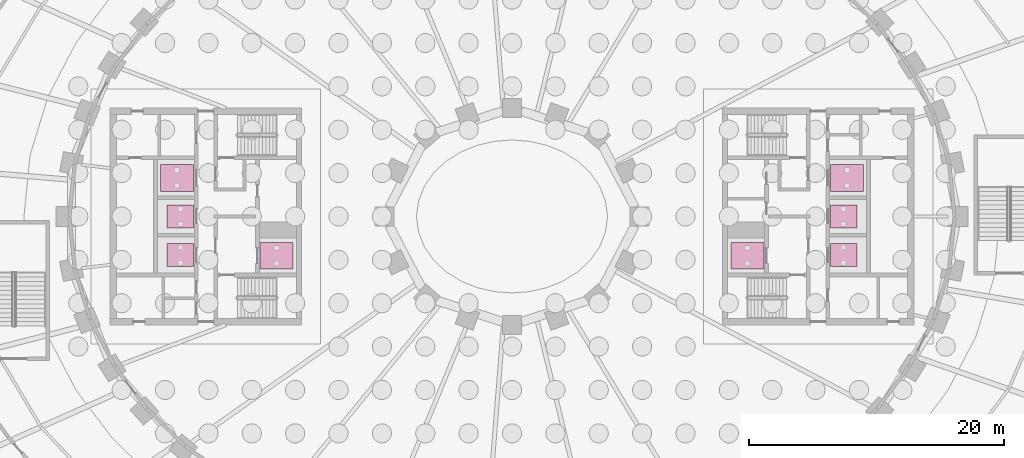
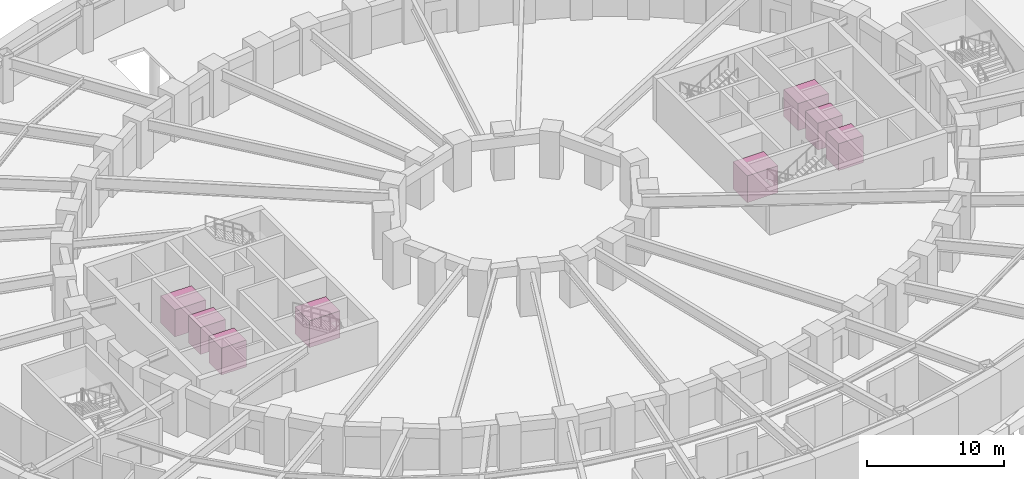
# One storey, part 19 of 19: 8 transport elements.
"""IFC4 building model written with IfcOpenShell, lengths in metres."""

from ifc_helpers import new_model, si_unit, direction, frame, origin, origin_2d, place, context, subcontext, project, spatial, rectangle, extrude, material, type_object, element, save


model = new_model("IFC4")

# Units and contexts
model_context = context("Model", 3, precision=1e-05, world=origin(), true_north=direction((0.0, 1.0)))
body_context = subcontext(model_context, "Body", "Model", "MODEL_VIEW")
ifc_project = project(units=[si_unit("LENGTHUNIT", "METRE"), si_unit("AREAUNIT", "SQUARE_METRE"), si_unit("VOLUMEUNIT", "CUBIC_METRE"), si_unit("PLANEANGLEUNIT", "RADIAN"), si_unit("MASSUNIT", "GRAM", prefix="KILO")], contexts=[model_context])

# Site, building, storey
site_placement = place(None, origin())
site = spatial("IfcSite", under=ifc_project, at=site_placement, CompositionType="ELEMENT")
building_placement = place(site_placement, origin())
building = spatial("IfcBuilding", under=site, at=building_placement, Name="Noorbagh Ring Tower", CompositionType="ELEMENT")
storey_placement = place(building_placement, frame((0.0, 0.0, -8.39990234375)))
storey = spatial("IfcBuildingStorey", under=building, at=storey_placement, Name="B2", CompositionType="ELEMENT", Elevation=-8.39990234375)

# Transport elements
ifc_material_1 = material(Name="Brushed stainless steel", Category="steel")
transport_element_type_1 = type_object("IfcTransportElementType", Name="CORE-LIFT-FF", PredefinedType="ELEVATOR", material=ifc_material_1)
for number, where, z_axis, x_axis, name in (
    (1, (-18.449951171875, -3.074951171875, 0.0), (0.0, 0.0, 1.0), (1.0, 0.0, 0.0), "Lift FF1"),
    (2, (18.449951171875, -3.074951171875, 0.0), (0.0, 0.0, 1.0), (1.0, 0.0, 0.0), "Lift FF2"),
):
    element("IfcTransportElement", number, at=place(storey_placement, frame(where, z_axis=z_axis, x_axis=x_axis)), inside=storey, type_object=transport_element_type_1, Name=name, PredefinedType="ELEVATOR", context=body_context, shape_type="SweptSolid", body=[
        extrude(rectangle(XDim=2.60009765625, YDim=2.10009765625, at=origin_2d()), origin(), (0.0, 0.0, 1.0), 2.39990234375),
    ])
ifc_material_2 = material(Name="Brushed stainless steel", Category="steel")
transport_element_type_2 = type_object("IfcTransportElementType", Name="CORE-LIFT-LR", PredefinedType="ELEVATOR", material=ifc_material_2)
for number, where, z_axis, x_axis, name in (
    (3, (-26.0, -3.02490234375, 0.0), (0.0, 0.0, 1.0), (1.0, 0.0, 0.0), "Lift LR1"),
    (4, (-26.0, 0.0, 0.0), (0.0, 0.0, 1.0), (1.0, 0.0, 0.0), "Lift LR2"),
    (5, (26.0, -3.02490234375, 0.0), (0.0, 0.0, 1.0), (1.0, 0.0, 0.0), "Lift LR3"),
    (6, (26.0, 0.0, 0.0), (0.0, 0.0, 1.0), (1.0, 0.0, 0.0), "Lift LR4"),
):
    element("IfcTransportElement", number, at=place(storey_placement, frame(where, z_axis=z_axis, x_axis=x_axis)), inside=storey, type_object=transport_element_type_2, Name=name, PredefinedType="ELEVATOR", context=body_context, shape_type="SweptSolid", body=[
        extrude(rectangle(XDim=2.10009765625, YDim=1.800048828125, at=origin_2d()), origin(), (0.0, 0.0, 1.0), 2.39990234375),
    ])
ifc_material_3 = material(Name="Brushed stainless steel", Category="steel")
transport_element_type_3 = type_object("IfcTransportElementType", Name="CORE-LIFT-SV", PredefinedType="ELEVATOR", material=ifc_material_3)
for number, where, z_axis, x_axis, name in (
    (7, (-26.25, 3.02490234375, 0.0), (0.0, 0.0, 1.0), (1.0, 0.0, 0.0), "Lift SV1"),
    (8, (26.25, 3.02490234375, 0.0), (0.0, 0.0, 1.0), (1.0, 0.0, 0.0), "Lift SV2"),
):
    element("IfcTransportElement", number, at=place(storey_placement, frame(where, z_axis=z_axis, x_axis=x_axis)), inside=storey, type_object=transport_element_type_3, Name=name, PredefinedType="ELEVATOR", context=body_context, shape_type="SweptSolid", body=[
        extrude(rectangle(XDim=2.60009765625, YDim=2.10009765625, at=origin_2d()), origin(), (0.0, 0.0, 1.0), 2.39990234375),
    ])

save(model, "model.ifc")
